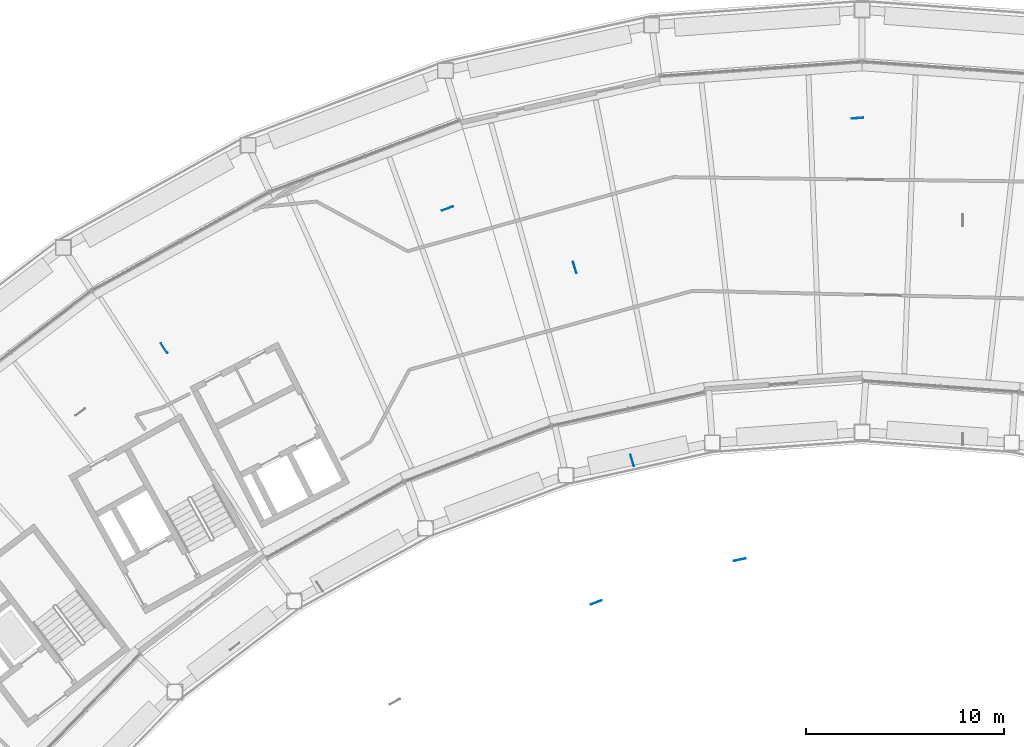
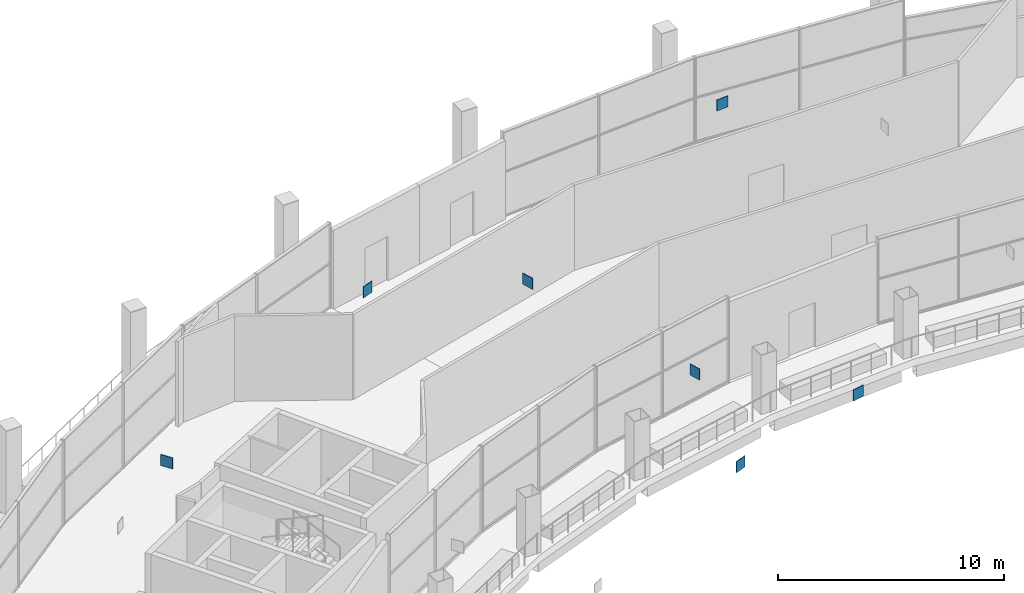
# One storey, part 22 of 29: 7 discrete accessories.
"""IFC4 building model written with IfcOpenShell, lengths in metres."""

from ifc_helpers import new_model, si_unit, direction, frame, origin, origin_2d, place, context, subcontext, project, spatial, rectangle, extrude, material, type_object, element, save


model = new_model("IFC4")

# Units and contexts
model_context = context("Model", 3, precision=1e-05, world=origin(), true_north=direction((0.0, 1.0)))
body_context = subcontext(model_context, "Body", "Model", "MODEL_VIEW")
ifc_project = project(units=[si_unit("LENGTHUNIT", "METRE"), si_unit("AREAUNIT", "SQUARE_METRE"), si_unit("VOLUMEUNIT", "CUBIC_METRE"), si_unit("PLANEANGLEUNIT", "RADIAN"), si_unit("MASSUNIT", "GRAM", prefix="KILO")], contexts=[model_context])

# Site, building, storey
site_placement = place(None, origin())
site = spatial("IfcSite", under=ifc_project, at=site_placement, CompositionType="ELEMENT")
building_placement = place(site_placement, origin())
building = spatial("IfcBuilding", under=site, at=building_placement, Name="Tuul Gate Civic Tower", CompositionType="ELEMENT")
storey_placement = place(building_placement, frame((0.0, 0.0, 238.89990234375)))
storey = spatial("IfcBuildingStorey", under=building, at=storey_placement, Name="Sky garden level 2", CompositionType="ELEMENT", Elevation=238.89990234375)

# Discrete accessories
ifc_material = material(Name="Steel S355", Category="steel")
discrete_accessory_type = type_object("IfcDiscreteAccessoryType", Name="Gusset plate", PredefinedType="BRACKET", material=ifc_material)
for number, where, z_axis, x_axis, name in (
    (1, (-8.593994140625, 5.525634765625, 3.5966796875), (0.0, 0.0, 1.0), (-0.285212112775, 0.958464423297, 0.0), "Gusset plate"),
    (2, (-5.690185546875, -4.233154296875, 3.596923828125), (0.0, 0.0, 1.0), (-0.285212112775, 0.958464423297, 0.0), "Gusset plate"),
    (3, (-29.373779296875, 1.452880859375, 3.59716796875), (0.0, 0.0, 1.0), (0.546689077234, -0.837335687066, 0.0), "Gusset plate"),
    (4, (5.7060546875, 13.08837890625, 3.596923828125), (0.0, 0.0, 1.0), (0.997389783472, 0.072205400255, 0.0), "Gusset plate"),
    (5, (-15.03955078125, 8.5166015625, 3.596923828125), (0.0, 0.0, 1.0), (0.935344056956, 0.35373930389, 0.0), "Gusset plate"),
    (6, (-0.248046875, -9.2470703125, 3.59619140625), (0.0, 0.0, 1.0), (-0.97656368755, -0.215228632292, 0.0), "Gusset plate"),
    (7, (-7.505615234375, -11.406494140625, 3.59619140625), (0.0, 0.0, 1.0), (-0.935367540469, -0.353677203444, 0.0), "Gusset plate"),
):
    element("IfcDiscreteAccessory", number, at=place(storey_placement, frame(where, z_axis=z_axis, x_axis=x_axis)), inside=storey, type_object=discrete_accessory_type, Name=name, PredefinedType="BRACKET", context=body_context, shape_type="SweptSolid", body=[
        extrude(rectangle(XDim=0.60009765625, YDim=0.030029296875, at=origin_2d()), origin(), (0.0, 0.0, 1.0), 0.60009765625),
    ])

save(model, "model.ifc")
